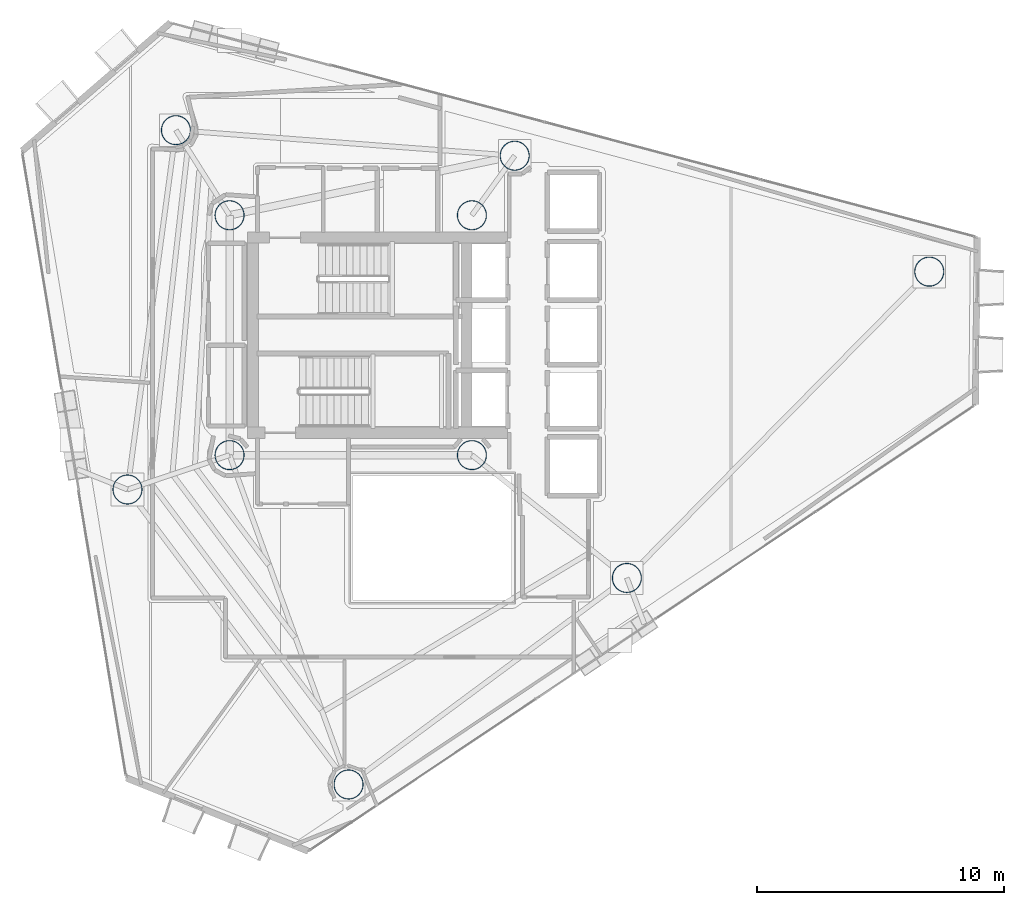
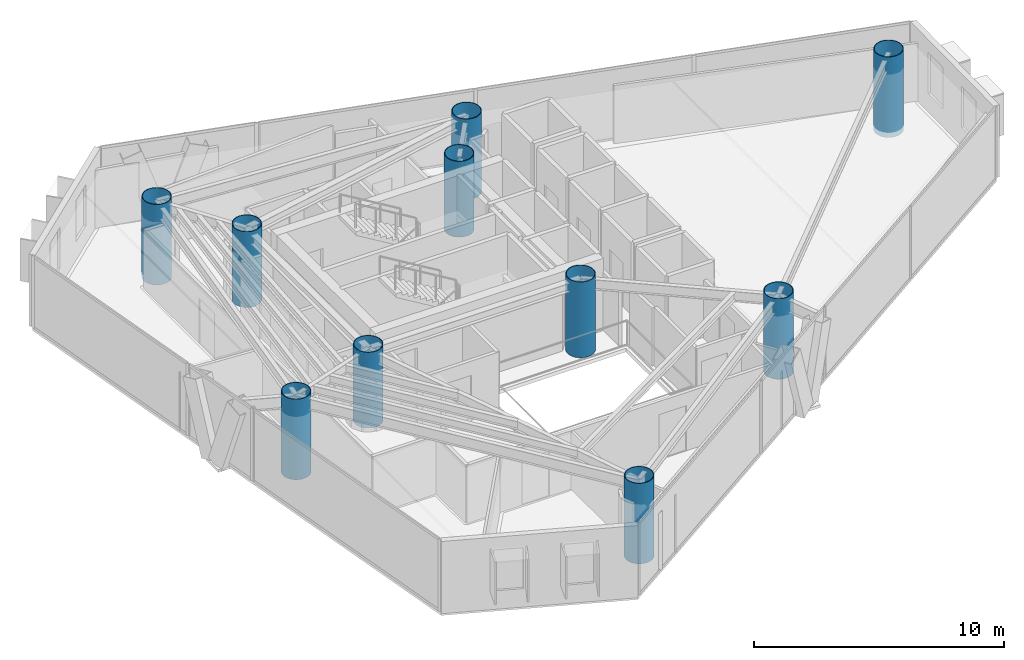
# One storey, part 1 of 21: 10 columns.
"""IFC4 building model written with IfcOpenShell, lengths in metres."""

from ifc_helpers import new_model, si_unit, direction, frame, origin, origin_2d, place, context, subcontext, project, spatial, hollow_circle, extrude, material, material_profile, profile_set, type_object, element, save


model = new_model("IFC4")

# Units and contexts
model_context = context("Model", 3, precision=1e-05, world=origin(), true_north=direction((0.0, 1.0)))
body_context = subcontext(model_context, "Body", "Model", "MODEL_VIEW")
ifc_project = project(units=[si_unit("LENGTHUNIT", "METRE"), si_unit("AREAUNIT", "SQUARE_METRE"), si_unit("VOLUMEUNIT", "CUBIC_METRE"), si_unit("PLANEANGLEUNIT", "RADIAN"), si_unit("MASSUNIT", "GRAM", prefix="KILO")], contexts=[model_context])

# Site, building, storey
site_placement = place(None, origin())
site = spatial("IfcSite", under=ifc_project, at=site_placement, CompositionType="ELEMENT")
building_placement = place(site_placement, origin())
building = spatial("IfcBuilding", under=site, at=building_placement, Name="Qianvela Tower", CompositionType="ELEMENT")
storey_placement = place(building_placement, frame((0.0, 0.0, 189.199951171875)))
storey = spatial("IfcBuildingStorey", under=building, at=storey_placement, Name="L48", CompositionType="ELEMENT", Elevation=189.199951171875)

# Columns
ifc_material = material(Name="Steel Q420GJC", Category="steel")
ifc_material_profile = material_profile(ifc_material, hollow_circle(Radius=0.60009765625, WallThickness=0.030029296875, at=origin_2d()), Name="CFT-1200x30")
ifc_profile_set = profile_set([ifc_material_profile], Name="Steel Q420GJC")
column_type = type_object("IfcColumnType", Name="COL-CFT-1200x30", PredefinedType="COLUMN", material=ifc_profile_set)
for number, where, z_axis, x_axis, name in (
    (1, (28.60009765625, 33.550048828125, 0.0), (0.0, 0.0, 1.0), (1.0, 0.0, 0.0), "L48 Core Corner Mega-Column CC-NW"),
    (2, (28.60009765625, 23.85009765625, 0.0), (0.0, 0.0, 1.0), (1.0, 0.0, 0.0), "L48 Core Corner Mega-Column CC-SW"),
    (3, (38.39990234375, 33.550048828125, 0.0), (0.0, 0.0, 1.0), (1.0, 0.0, 0.0), "L48 Core Corner Mega-Column CC-NE"),
    (4, (38.39990234375, 23.85009765625, 0.0), (0.0, 0.0, 1.0), (1.0, 0.0, 0.0), "L48 Core Corner Mega-Column CC-SE"),
):
    element("IfcColumn", number, at=place(storey_placement, frame(where, z_axis=z_axis, x_axis=x_axis)), inside=storey, type_object=column_type, Name=name, PredefinedType="COLUMN", context=body_context, shape_type="SweptSolid", body=[
        extrude(hollow_circle(Radius=0.60009765625, WallThickness=0.030029296875, at=origin_2d()), origin(), (0.0, 0.0, 1.0), 3.699951171875),
    ])
for number, where, z_axis, x_axis, name in (
    (5, (56.89697265625, 31.27001953125, -0.22998046875), (0.0, 0.0, 1.0), (1.0, 0.0, 0.0), "L48 Zone Z5 CFT Mega-Column C1"),
    (6, (40.131103515625, 35.9580078125, -0.22998046875), (0.0, 0.0, 1.0), (1.0, 0.0, 0.0), "L48 Zone Z5 CFT Mega-Column C2"),
    (7, (26.430908203125, 36.991943359375, -0.22998046875), (0.0, 0.0, 1.0), (1.0, 0.0, 0.0), "L48 Zone Z5 CFT Mega-Column C3"),
    (8, (24.471923828125, 22.4599609375, -0.22998046875), (0.0, 0.0, 1.0), (1.0, 0.0, 0.0), "L48 Zone Z5 CFT Mega-Column C4"),
    (9, (33.4130859375, 10.531005859375, -0.22998046875), (0.0, 0.0, 1.0), (1.0, 0.0, 0.0), "L48 Zone Z5 CFT Mega-Column C5"),
    (10, (44.6669921875, 18.883056640625, -0.22998046875), (0.0, 0.0, 1.0), (1.0, 0.0, 0.0), "L48 Zone Z5 CFT Mega-Column C6"),
):
    element("IfcColumn", number, at=place(storey_placement, frame(where, z_axis=z_axis, x_axis=x_axis)), inside=storey, type_object=column_type, Name=name, PredefinedType="COLUMN", context=body_context, shape_type="SweptSolid", body=[
        extrude(hollow_circle(Radius=0.60009765625, WallThickness=0.030029296875, at=origin_2d()), origin(), (0.0, 0.0, 1.0), 3.929931640625),
    ])

save(model, "model.ifc")
